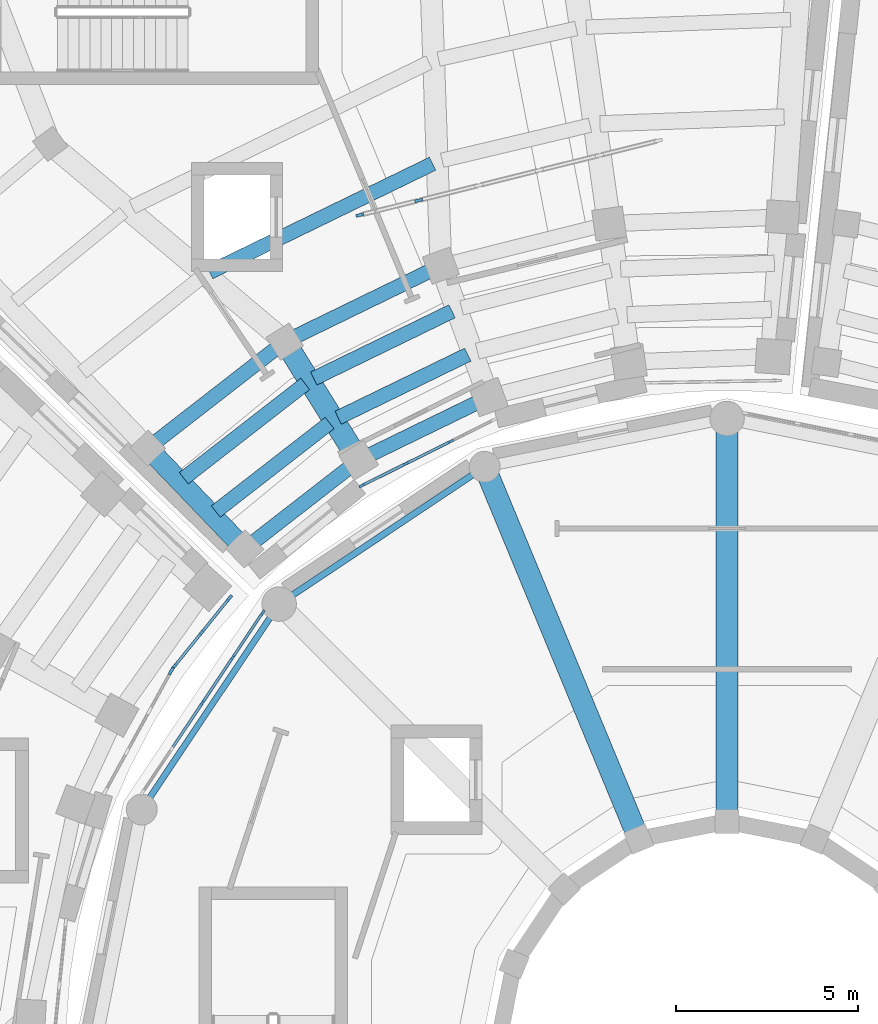
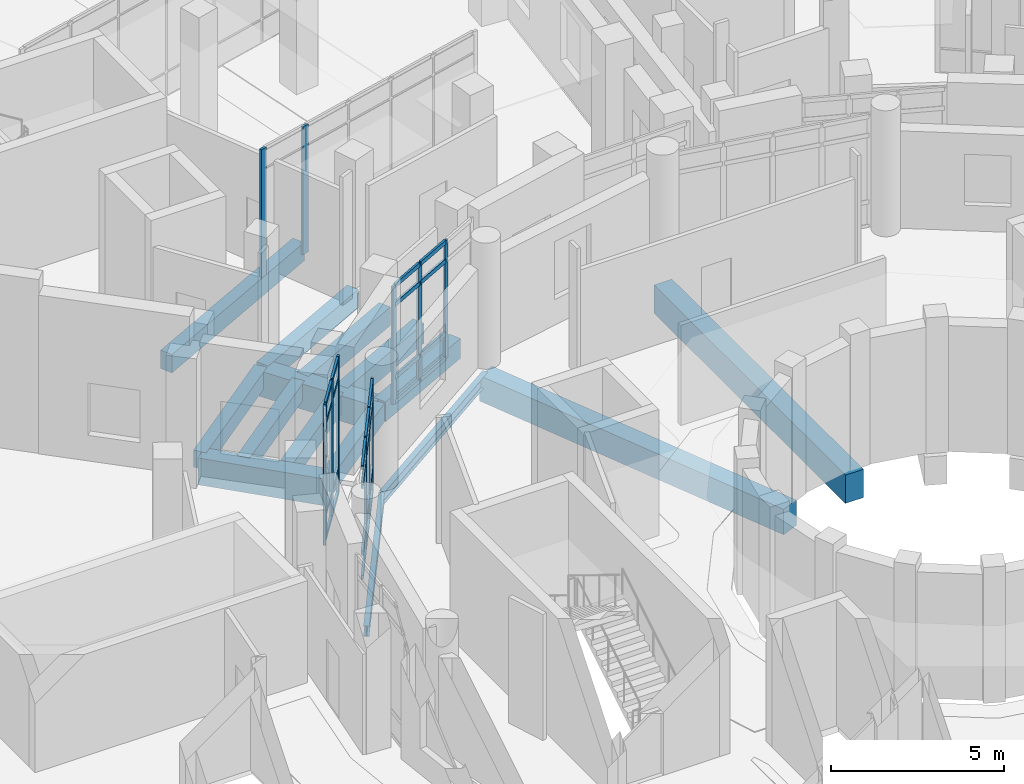
# One storey, part 19 of 75: 40 members, 15 beams, 5 elements without a shape of their own.
"""IFC4 building model written with IfcOpenShell, lengths in metres."""

from ifc_helpers import new_model, si_unit, direction, frame, origin, origin_2d, place, context, subcontext, project, spatial, rectangle, i_section, extrude, material, material_profile, profile_set, type_object, element, aggregate, save


model = new_model("IFC4")

# Units and contexts
model_context = context("Model", 3, precision=1e-05, world=origin(), true_north=direction((0.0, 1.0)))
body_context = subcontext(model_context, "Body", "Model", "MODEL_VIEW")
ifc_project = project(units=[si_unit("LENGTHUNIT", "METRE"), si_unit("AREAUNIT", "SQUARE_METRE"), si_unit("VOLUMEUNIT", "CUBIC_METRE"), si_unit("PLANEANGLEUNIT", "RADIAN"), si_unit("MASSUNIT", "GRAM", prefix="KILO")], contexts=[model_context])

# Site, building, storey
site_placement = place(None, origin())
site = spatial("IfcSite", under=ifc_project, at=site_placement, CompositionType="ELEMENT")
building_placement = place(site_placement, origin())
building = spatial("IfcBuilding", under=site, at=building_placement, Name="Soyqirgoq Riverine Aquarium", CompositionType="ELEMENT")
storey_placement = place(building_placement, frame((0.0, 0.0, 10.199951171875)))
storey = spatial("IfcBuildingStorey", under=building, at=storey_placement, Name="L03", CompositionType="ELEMENT", Elevation=10.199951171875)

# Beams
ifc_material_1 = material(Name="Concrete C40/50", Category="concrete")
ifc_material_profile_1 = material_profile(ifc_material_1, rectangle(XDim=0.39990234375, YDim=0.60009765625, at=origin_2d()), Name="RC 400x600")
ifc_profile_set_1 = profile_set([ifc_material_profile_1], Name="Concrete C40/50")
beam_type_1 = type_object("IfcBeamType", Name="Beam_RC_400x600", PredefinedType="JOIST", material=ifc_profile_set_1)
beam_1_placement = place(storey_placement, frame((44.38037109375, 75.404296875, -0.599853515625), z_axis=(-0.789625269343, -0.613589385514, 0.0), x_axis=(0.613589385514, -0.789625269343, 0.0)))
element("IfcBeam", 1, at=beam_1_placement, inside=storey, type_object=beam_type_1, Name="V4 L03 Secondary Floor Joist 0637", PredefinedType="JOIST", context=body_context, shape_type="SweptSolid", body=[
    extrude(rectangle(XDim=0.39990234375, YDim=0.60009765625, at=origin_2d()), origin(), (0.0, 0.0, 1.0), 4.235595703125),
])
beam_2_placement = place(storey_placement, frame((43.780029296875, 76.5380859375, -0.599853515625), z_axis=(-0.789613455766, -0.613604588048, 0.0), x_axis=(0.613604588048, -0.789613455766, 0.0)))
element("IfcBeam", 2, at=beam_2_placement, inside=storey, type_object=beam_type_1, Name="V4 L03 Wedge Chord Beam 0641", PredefinedType="JOIST", context=body_context, shape_type="SweptSolid", body=[
    extrude(rectangle(XDim=0.39990234375, YDim=0.60009765625, at=origin_2d()), origin(), (0.0, 0.0, 1.0), 4.6787109375),
])
ifc_material_2 = material(Name="Concrete C40/50", Category="concrete")
ifc_material_profile_2 = material_profile(ifc_material_2, rectangle(XDim=0.39990234375, YDim=0.64990234375, at=origin_2d()), Name="RC 400x650")
ifc_profile_set_2 = profile_set([ifc_material_profile_2], Name="Concrete C40/50")
beam_type_2 = type_object("IfcBeamType", Name="Beam_RC_400x650", PredefinedType="BEAM", material=ifc_profile_set_2)
beam_3_placement = place(storey_placement, frame((45.814453125, 73.26953125, -0.625), z_axis=(-0.789599462758, -0.613622594444, 0.0), x_axis=(0.613622594444, -0.789599462758, 0.0)))
element("IfcBeam", 3, at=beam_3_placement, inside=storey, type_object=beam_type_2, Name="V4 L03 Wedge Chord Beam 0629", PredefinedType="BEAM", context=body_context, shape_type="SweptSolid", body=[
    extrude(rectangle(XDim=0.39990234375, YDim=0.64990234375, at=origin_2d()), origin(), (0.0, 0.0, 1.0), 3.88037109375),
])
beam_4_placement = place(storey_placement, frame((48.425048828125, 77.40478515625, -0.625), z_axis=(-0.899182988599, -0.437572797388, 0.0), x_axis=(0.437572797388, -0.899182988599, 0.0)))
element("IfcBeam", 4, at=beam_4_placement, inside=storey, type_object=beam_type_2, Name="V4 L03 Secondary Floor Joist 0635", PredefinedType="BEAM", context=body_context, shape_type="SweptSolid", body=[
    extrude(rectangle(XDim=0.39990234375, YDim=0.64990234375, at=origin_2d()), origin(), (0.0, 0.0, 1.0), 4.2353515625),
])
beam_5_placement = place(storey_placement, frame((45.0517578125, 74.32568359375, -0.625), z_axis=(-0.789623525917, -0.613591629114, 0.0), x_axis=(0.613591629114, -0.789623525917, 0.0)))
element("IfcBeam", 5, at=beam_5_placement, inside=storey, type_object=beam_type_2, Name="V4 L03 Secondary Floor Joist 0636", PredefinedType="BEAM", context=body_context, shape_type="SweptSolid", body=[
    extrude(rectangle(XDim=0.39990234375, YDim=0.64990234375, at=origin_2d()), origin(), (0.0, 0.0, 1.0), 3.97216796875),
])
beam_6_placement = place(storey_placement, frame((48.0712890625, 78.637939453125, -0.625), z_axis=(-0.899186813611, -0.437564937156, 0.0), x_axis=(0.437564937156, -0.899186813611, 0.0)))
element("IfcBeam", 6, at=beam_6_placement, inside=storey, type_object=beam_type_2, Name="V4 L03 Wedge Chord Beam 0640", PredefinedType="BEAM", context=body_context, shape_type="SweptSolid", body=[
    extrude(rectangle(XDim=0.39990234375, YDim=0.64990234375, at=origin_2d()), origin(), (0.0, 0.0, 1.0), 4.678466796875),
])
beam_7_placement = place(storey_placement, frame((47.8896484375, 81.47119140625, -0.625), z_axis=(-0.899178845538, -0.437581311, 0.0), x_axis=(0.437581311, -0.899178845538, 0.0)))
element("IfcBeam", 7, at=beam_7_placement, inside=storey, type_object=beam_type_2, Name="V4 L03 Secondary Floor Joist 0646", PredefinedType="BEAM", context=body_context, shape_type="SweptSolid", body=[
    extrude(rectangle(XDim=0.39990234375, YDim=0.64990234375, at=origin_2d()), origin(), (0.0, 0.0, 1.0), 6.831298828125),
])
ifc_material_3 = material(Name="Concrete C40/50", Category="concrete")
ifc_material_profile_3 = material_profile(ifc_material_3, rectangle(XDim=0.39990234375, YDim=0.699951171875, at=origin_2d()), Name="RC 400x700")
ifc_profile_set_3 = profile_set([ifc_material_profile_3], Name="Concrete C40/50")
beam_type_3 = type_object("IfcBeamType", Name="Beam_RC_400x700", PredefinedType="BEAM", material=ifc_profile_set_3)
beam_8_placement = place(storey_placement, frame((49.38818359375, 75.020263671875, -0.64990234375), z_axis=(-0.899182237982, -0.437574339852, 0.0), x_axis=(0.437574339852, -0.899182237982, 0.0)))
element("IfcBeam", 8, at=beam_8_placement, inside=storey, type_object=beam_type_3, Name="V4 L03 Wedge Chord Beam 0628", PredefinedType="BEAM", context=body_context, shape_type="SweptSolid", body=[
    extrude(rectangle(XDim=0.39990234375, YDim=0.699951171875, at=origin_2d()), origin(), (0.0, 0.0, 1.0), 3.88037109375),
])
beam_9_placement = place(storey_placement, frame((48.859619140625, 76.2109375, -0.64990234375), z_axis=(-0.899182148298, -0.437574524146, 0.0), x_axis=(0.437574524146, -0.899182148298, 0.0)))
element("IfcBeam", 9, at=beam_9_placement, inside=storey, type_object=beam_type_3, Name="V4 L03 Secondary Floor Joist 0634", PredefinedType="BEAM", context=body_context, shape_type="SweptSolid", body=[
    extrude(rectangle(XDim=0.39990234375, YDim=0.699951171875, at=origin_2d()), origin(), (0.0, 0.0, 1.0), 3.971923828125),
])

# Curtain wall, members
ifc_material_4 = material(Name="Anodised aluminium thermally broken triple low-E glazing", Category="aluminium")
curtain_wall_type_1 = type_object("IfcCurtainWallType", Name="CW_DrumGallery_Unitised", PredefinedType="NOTDEFINED", material=ifc_material_4)
curtain_wall_1_placement = place(storey_placement, origin())
curtain_wall_1 = element("IfcCurtainWall", 10, at=curtain_wall_1_placement, inside=storey, type_object=curtain_wall_type_1, Name="V1 L03 Curtain Wall 025", PredefinedType="NOTDEFINED")
ifc_material_5 = material(Name="Anodised aluminium 6063-T6", Category="aluminium")
ifc_material_profile_4 = material_profile(ifc_material_5, rectangle(XDim=0.06494140625, YDim=0.179931640625, at=origin_2d()), Name="ALU-M 65x180")
ifc_profile_set_4 = profile_set([ifc_material_profile_4], Name="Anodised aluminium 6063-T6")
member_type_1 = type_object("IfcMemberType", Name="CWMullion_65x180", PredefinedType="MULLION", material=ifc_profile_set_4)
member_1_placement = place(storey_placement, frame((43.200439453125, 69.091064453125, 0.0), z_axis=(0.0, 0.0, 1.0), x_axis=(0.831468565541, -0.555571799605, 0.0)))
member_1 = element("IfcMember", 11, at=member_1_placement, type_object=member_type_1, Name="CW-01 mullion 1", PredefinedType="MULLION", context=body_context, shape_type="SweptSolid", body=[
    extrude(rectangle(XDim=0.06494140625, YDim=0.179931640625, at=origin_2d()), origin(), (0.0, 0.0, 1.0), 3.949951171875),
])
member_2_placement = place(storey_placement, frame((42.384033203125, 67.869384765625, 0.0), z_axis=(0.0, 0.0, 1.0), x_axis=(0.831468565541, -0.555571799605, 0.0)))
member_2 = element("IfcMember", 12, at=member_2_placement, type_object=member_type_1, Name="CW-01 mullion 2", PredefinedType="MULLION", context=body_context, shape_type="SweptSolid", body=[
    extrude(rectangle(XDim=0.06494140625, YDim=0.179931640625, at=origin_2d()), origin(), (0.0, 0.0, 1.0), 3.949951171875),
])
member_3_placement = place(storey_placement, frame((41.549560546875, 66.620361328125, 0.0), z_axis=(0.0, 0.0, 1.0), x_axis=(0.831468565541, -0.555571799605, 0.0)))
member_3 = element("IfcMember", 13, at=member_3_placement, type_object=member_type_1, Name="CW-01 mullion 3", PredefinedType="MULLION", context=body_context, shape_type="SweptSolid", body=[
    extrude(rectangle(XDim=0.06494140625, YDim=0.179931640625, at=origin_2d()), origin(), (0.0, 0.0, 1.0), 3.949951171875),
])

ifc_material_6 = material(Name="Anodised aluminium thermally broken double low-E glazing", Category="aluminium")
curtain_wall_type_2 = type_object("IfcCurtainWallType", Name="CW_Wedge_NorthBay", PredefinedType="NOTDEFINED", material=ifc_material_6)
curtain_wall_2_placement = place(storey_placement, origin())
curtain_wall_2 = element("IfcCurtainWall", 14, at=curtain_wall_2_placement, inside=storey, type_object=curtain_wall_type_2, Name="V4 L03 Curtain Wall 091", PredefinedType="NOTDEFINED")
member_4_placement = place(storey_placement, frame((48.38232421875, 73.819091796875, 0.0), z_axis=(0.0, 0.0, 1.0), x_axis=(0.446194983142, -0.894935772567, 0.0)))
member_4 = element("IfcMember", 15, at=member_4_placement, type_object=member_type_1, Name="CW-03 mullion 2", PredefinedType="MULLION", context=body_context, shape_type="SweptSolid", body=[
    extrude(rectangle(XDim=0.06494140625, YDim=0.179931640625, at=origin_2d()), origin(), (0.0, 0.0, 1.0), 4.170166015625),
])
member_5_placement = place(storey_placement, frame((47.152099609375, 73.20556640625, 0.0), z_axis=(0.0, 0.0, 1.0), x_axis=(0.446194983142, -0.894935772567, 0.0)))
member_5 = element("IfcMember", 16, at=member_5_placement, type_object=member_type_1, Name="CW-03 mullion 3", PredefinedType="MULLION", context=body_context, shape_type="SweptSolid", body=[
    extrude(rectangle(XDim=0.06494140625, YDim=0.179931640625, at=origin_2d()), origin(), (0.0, 0.0, 1.0), 4.170166015625),
])
member_6_placement = place(storey_placement, frame((45.95068359375, 72.606689453125, 0.0), z_axis=(0.0, 0.0, 1.0), x_axis=(0.446194983142, -0.894935772567, 0.0)))
member_6 = element("IfcMember", 17, at=member_6_placement, type_object=member_type_1, Name="CW-03 mullion 4", PredefinedType="MULLION", context=body_context, shape_type="SweptSolid", body=[
    extrude(rectangle(XDim=0.06494140625, YDim=0.179931640625, at=origin_2d()), origin(), (0.0, 0.0, 1.0), 4.170166015625),
])

# Curtain wall, member
curtain_wall_3_placement = place(storey_placement, origin())
curtain_wall_3 = element("IfcCurtainWall", 18, at=curtain_wall_3_placement, inside=storey, type_object=curtain_wall_type_2, Name="V3 L03 Curtain Wall 085", PredefinedType="NOTDEFINED")
ifc_material_7 = material(Name="Anodised aluminium 6063-T6", Category="aluminium")
ifc_material_profile_5 = material_profile(ifc_material_7, rectangle(XDim=0.080078125, YDim=0.219970703125, at=origin_2d()), Name="ALU-M 80x220")
ifc_profile_set_5 = profile_set([ifc_material_profile_5], Name="Anodised aluminium 6063-T6")
member_type_2 = type_object("IfcMemberType", Name="CWMullion_80x220", PredefinedType="MULLION", material=ifc_profile_set_5)
member_7_placement = place(storey_placement, frame((40.68798828125, 67.49267578125, 0.0), z_axis=(0.0, 0.0, 1.0), x_axis=(0.876811350866, -0.480834540141, 0.0)))
member_7 = element("IfcMember", 19, at=member_7_placement, type_object=member_type_2, Name="CW-03 mullion 1", PredefinedType="MULLION", context=body_context, shape_type="SweptSolid", body=[
    extrude(rectangle(XDim=0.080078125, YDim=0.219970703125, at=origin_2d()), origin(), (0.0, 0.0, 1.0), 4.81005859375),
])
aggregate(curtain_wall_3, [member_7])

# Curtain wall, members
curtain_wall_4_placement = place(storey_placement, origin())
curtain_wall_4 = element("IfcCurtainWall", 20, at=curtain_wall_4_placement, inside=storey, type_object=curtain_wall_type_2, Name="V3 L03 Curtain Wall 087", PredefinedType="NOTDEFINED")
member_8_placement = place(storey_placement, frame((42.28515625, 69.493896484375, 0.0), z_axis=(0.0, 0.0, 1.0), x_axis=(0.778089639027, -0.62815325649, 0.0)))
member_8 = element("IfcMember", 21, at=member_8_placement, type_object=member_type_2, Name="CW-03 mullion 1", PredefinedType="MULLION", context=body_context, shape_type="SweptSolid", body=[
    extrude(rectangle(XDim=0.080078125, YDim=0.219970703125, at=origin_2d()), origin(), (0.0, 0.0, 1.0), 4.81005859375),
])
member_9_placement = place(storey_placement, frame((41.531005859375, 68.5595703125, 0.0), z_axis=(0.0, 0.0, 1.0), x_axis=(0.778089639027, -0.62815325649, 0.0)))
member_9 = element("IfcMember", 22, at=member_9_placement, type_object=member_type_2, Name="CW-03 mullion 2", PredefinedType="MULLION", context=body_context, shape_type="SweptSolid", body=[
    extrude(rectangle(XDim=0.080078125, YDim=0.219970703125, at=origin_2d()), origin(), (0.0, 0.0, 1.0), 4.81005859375),
])
member_10_placement = place(storey_placement, frame((40.776611328125, 67.625244140625, 0.0), z_axis=(0.0, 0.0, 1.0), x_axis=(0.778089639027, -0.62815325649, 0.0)))
member_10 = element("IfcMember", 23, at=member_10_placement, type_object=member_type_2, Name="CW-03 mullion 3", PredefinedType="MULLION", context=body_context, shape_type="SweptSolid", body=[
    extrude(rectangle(XDim=0.080078125, YDim=0.219970703125, at=origin_2d()), origin(), (0.0, 0.0, 1.0), 4.81005859375),
])

ifc_material_8 = material(Name="Cast polymethyl methacrylate PMMA Habitat Viewing Glazing", Category="glass")
curtain_wall_type_3 = type_object("IfcCurtainWallType", Name="CW_Interior_TankVitrine", PredefinedType="NOTDEFINED", material=ifc_material_8)
curtain_wall_5_placement = place(storey_placement, origin())
curtain_wall_5 = element("IfcCurtainWall", 24, at=curtain_wall_5_placement, inside=storey, type_object=curtain_wall_type_3, Name="V4 L03 Curtain Wall 155", PredefinedType="NOTDEFINED")
member_11_placement = place(storey_placement, frame((47.5068359375, 80.459228515625, 0.0), z_axis=(0.0, 0.0, 1.0), x_axis=(0.241922023881, -0.970295694292, 0.0)))
member_11 = element("IfcMember", 25, at=member_11_placement, type_object=member_type_2, Name="CW-07 mullion 5", PredefinedType="MULLION", context=body_context, shape_type="SweptSolid", body=[
    extrude(rectangle(XDim=0.080078125, YDim=0.219970703125, at=origin_2d()), origin(), (0.0, 0.0, 1.0), 4.52001953125),
])
member_12_placement = place(storey_placement, frame((45.885986328125, 80.05517578125, 0.0), z_axis=(0.0, 0.0, 1.0), x_axis=(0.241922023881, -0.970295694292, 0.0)))
member_12 = element("IfcMember", 26, at=member_12_placement, type_object=member_type_2, Name="CW-07 mullion 6", PredefinedType="MULLION", context=body_context, shape_type="SweptSolid", body=[
    extrude(rectangle(XDim=0.080078125, YDim=0.219970703125, at=origin_2d()), origin(), (0.0, 0.0, 1.0), 4.52001953125),
])
aggregate(curtain_wall_5, [member_11, member_12])

# Member
ifc_material_9 = material(Name="Anodised aluminium 6063-T6", Category="aluminium")
ifc_material_profile_6 = material_profile(ifc_material_9, rectangle(XDim=0.074951171875, YDim=0.14990234375, at=origin_2d()), Name="ALU-T 75x150")
ifc_profile_set_6 = profile_set([ifc_material_profile_6], Name="Anodised aluminium 6063-T6")
member_type_3 = type_object("IfcMemberType", Name="CWTransom_75x150", PredefinedType="USERDEFINED", material=ifc_profile_set_6)
member_13_placement = place(storey_placement, frame((43.182373046875, 69.064208984375, 0.03759765625), z_axis=(-0.555502146192, -0.831515102434, 0.0), x_axis=(0.831515102434, -0.555502146192, 0.0)))
member_13 = element("IfcMember", 27, at=member_13_placement, type_object=member_type_3, Name="CW-01 transom 1.1", ObjectType="TRANSOM", PredefinedType="USERDEFINED", context=body_context, shape_type="SweptSolid", body=[
    extrude(rectangle(XDim=0.074951171875, YDim=0.14990234375, at=origin_2d()), origin(), (0.0, 0.0, 1.0), 1.404541015625),
])

member_14_placement = place(storey_placement, frame((43.182373046875, 69.064208984375, 0.900146484375), z_axis=(-0.555502146192, -0.831515102434, 0.0), x_axis=(0.831515102434, -0.555502146192, 0.0)))
member_14 = element("IfcMember", 28, at=member_14_placement, type_object=member_type_3, Name="CW-01 transom 1.2", ObjectType="TRANSOM", PredefinedType="USERDEFINED", context=body_context, shape_type="SweptSolid", body=[
    extrude(rectangle(XDim=0.074951171875, YDim=0.14990234375, at=origin_2d()), origin(), (0.0, 0.0, 1.0), 1.404541015625),
])

member_15_placement = place(storey_placement, frame((43.182373046875, 69.064208984375, 3.25), z_axis=(-0.555502146192, -0.831515102434, 0.0), x_axis=(0.831515102434, -0.555502146192, 0.0)))
member_15 = element("IfcMember", 29, at=member_15_placement, type_object=member_type_3, Name="CW-01 transom 1.3", ObjectType="TRANSOM", PredefinedType="USERDEFINED", context=body_context, shape_type="SweptSolid", body=[
    extrude(rectangle(XDim=0.074951171875, YDim=0.14990234375, at=origin_2d()), origin(), (0.0, 0.0, 1.0), 1.404541015625),
])

member_16_placement = place(storey_placement, frame((43.182373046875, 69.064208984375, 3.91259765625), z_axis=(-0.555502146192, -0.831515102434, 0.0), x_axis=(0.831515102434, -0.555502146192, 0.0)))
member_16 = element("IfcMember", 30, at=member_16_placement, type_object=member_type_3, Name="CW-01 transom 1.4", ObjectType="TRANSOM", PredefinedType="USERDEFINED", context=body_context, shape_type="SweptSolid", body=[
    extrude(rectangle(XDim=0.074951171875, YDim=0.14990234375, at=origin_2d()), origin(), (0.0, 0.0, 1.0), 1.404541015625),
])

member_17_placement = place(storey_placement, frame((42.365966796875, 67.84228515625, 0.03759765625), z_axis=(-0.55556245102, -0.831474812016, 0.0), x_axis=(0.831474812016, -0.55556245102, 0.0)))
member_17 = element("IfcMember", 31, at=member_17_placement, type_object=member_type_3, Name="CW-01 transom 2.1", ObjectType="TRANSOM", PredefinedType="USERDEFINED", context=body_context, shape_type="SweptSolid", body=[
    extrude(rectangle(XDim=0.074951171875, YDim=0.14990234375, at=origin_2d()), origin(), (0.0, 0.0, 1.0), 1.43701171875),
])

member_18_placement = place(storey_placement, frame((42.365966796875, 67.84228515625, 0.900146484375), z_axis=(-0.55556245102, -0.831474812016, 0.0), x_axis=(0.831474812016, -0.55556245102, 0.0)))
member_18 = element("IfcMember", 32, at=member_18_placement, type_object=member_type_3, Name="CW-01 transom 2.2", ObjectType="TRANSOM", PredefinedType="USERDEFINED", context=body_context, shape_type="SweptSolid", body=[
    extrude(rectangle(XDim=0.074951171875, YDim=0.14990234375, at=origin_2d()), origin(), (0.0, 0.0, 1.0), 1.43701171875),
])

member_19_placement = place(storey_placement, frame((42.365966796875, 67.84228515625, 3.25), z_axis=(-0.55556245102, -0.831474812016, 0.0), x_axis=(0.831474812016, -0.55556245102, 0.0)))
member_19 = element("IfcMember", 33, at=member_19_placement, type_object=member_type_3, Name="CW-01 transom 2.3", ObjectType="TRANSOM", PredefinedType="USERDEFINED", context=body_context, shape_type="SweptSolid", body=[
    extrude(rectangle(XDim=0.074951171875, YDim=0.14990234375, at=origin_2d()), origin(), (0.0, 0.0, 1.0), 1.43701171875),
])

member_20_placement = place(storey_placement, frame((42.365966796875, 67.84228515625, 3.91259765625), z_axis=(-0.55556245102, -0.831474812016, 0.0), x_axis=(0.831474812016, -0.55556245102, 0.0)))
member_20 = element("IfcMember", 34, at=member_20_placement, type_object=member_type_3, Name="CW-01 transom 2.4", ObjectType="TRANSOM", PredefinedType="USERDEFINED", context=body_context, shape_type="SweptSolid", body=[
    extrude(rectangle(XDim=0.074951171875, YDim=0.14990234375, at=origin_2d()), origin(), (0.0, 0.0, 1.0), 1.43701171875),
])

member_21_placement = place(storey_placement, frame((41.531494140625, 66.593505859375, 0.03759765625), z_axis=(-0.55556245102, -0.831474812016, 0.0), x_axis=(0.831474812016, -0.55556245102, 0.0)))
member_21 = element("IfcMember", 35, at=member_21_placement, type_object=member_type_3, Name="CW-01 transom 3.1", ObjectType="TRANSOM", PredefinedType="USERDEFINED", context=body_context, shape_type="SweptSolid", body=[
    extrude(rectangle(XDim=0.074951171875, YDim=0.14990234375, at=origin_2d()), origin(), (0.0, 0.0, 1.0), 1.43701171875),
])

member_22_placement = place(storey_placement, frame((41.531494140625, 66.593505859375, 0.900146484375), z_axis=(-0.55556245102, -0.831474812016, 0.0), x_axis=(0.831474812016, -0.55556245102, 0.0)))
member_22 = element("IfcMember", 36, at=member_22_placement, type_object=member_type_3, Name="CW-01 transom 3.2", ObjectType="TRANSOM", PredefinedType="USERDEFINED", context=body_context, shape_type="SweptSolid", body=[
    extrude(rectangle(XDim=0.074951171875, YDim=0.14990234375, at=origin_2d()), origin(), (0.0, 0.0, 1.0), 1.43701171875),
])

member_23_placement = place(storey_placement, frame((41.531494140625, 66.593505859375, 3.25), z_axis=(-0.55556245102, -0.831474812016, 0.0), x_axis=(0.831474812016, -0.55556245102, 0.0)))
member_23 = element("IfcMember", 37, at=member_23_placement, type_object=member_type_3, Name="CW-01 transom 3.3", ObjectType="TRANSOM", PredefinedType="USERDEFINED", context=body_context, shape_type="SweptSolid", body=[
    extrude(rectangle(XDim=0.074951171875, YDim=0.14990234375, at=origin_2d()), origin(), (0.0, 0.0, 1.0), 1.43701171875),
])

member_24_placement = place(storey_placement, frame((41.531494140625, 66.593505859375, 3.91259765625), z_axis=(-0.55556245102, -0.831474812016, 0.0), x_axis=(0.831474812016, -0.55556245102, 0.0)))
member_24 = element("IfcMember", 38, at=member_24_placement, type_object=member_type_3, Name="CW-01 transom 3.4", ObjectType="TRANSOM", PredefinedType="USERDEFINED", context=body_context, shape_type="SweptSolid", body=[
    extrude(rectangle(XDim=0.074951171875, YDim=0.14990234375, at=origin_2d()), origin(), (0.0, 0.0, 1.0), 1.43701171875),
])

aggregate(curtain_wall_1, [member_1, member_2, member_3, member_13, member_14, member_15, member_16, member_17, member_18, member_19, member_20, member_21, member_22, member_23, member_24])

member_25_placement = place(storey_placement, frame((42.26025390625, 69.462646484375, 0.03759765625), z_axis=(-0.628195132858, -0.778055830294, 0.0), x_axis=(0.778055830294, -0.628195132858, 0.0)))
member_25 = element("IfcMember", 39, at=member_25_placement, type_object=member_type_3, Name="CW-03 transom 1.1", ObjectType="TRANSOM", PredefinedType="USERDEFINED", context=body_context, shape_type="SweptSolid", body=[
    extrude(rectangle(XDim=0.074951171875, YDim=0.14990234375, at=origin_2d()), origin(), (0.0, 0.0, 1.0), 1.120849609375),
])

member_26_placement = place(storey_placement, frame((42.26025390625, 69.462646484375, 0.900146484375), z_axis=(-0.628195132858, -0.778055830294, 0.0), x_axis=(0.778055830294, -0.628195132858, 0.0)))
member_26 = element("IfcMember", 40, at=member_26_placement, type_object=member_type_3, Name="CW-03 transom 1.2", ObjectType="TRANSOM", PredefinedType="USERDEFINED", context=body_context, shape_type="SweptSolid", body=[
    extrude(rectangle(XDim=0.074951171875, YDim=0.14990234375, at=origin_2d()), origin(), (0.0, 0.0, 1.0), 1.120849609375),
])

member_27_placement = place(storey_placement, frame((42.26025390625, 69.462646484375, 4.110107421875), z_axis=(-0.628195132858, -0.778055830294, 0.0), x_axis=(0.778055830294, -0.628195132858, 0.0)))
member_27 = element("IfcMember", 41, at=member_27_placement, type_object=member_type_3, Name="CW-03 transom 1.3", ObjectType="TRANSOM", PredefinedType="USERDEFINED", context=body_context, shape_type="SweptSolid", body=[
    extrude(rectangle(XDim=0.074951171875, YDim=0.14990234375, at=origin_2d()), origin(), (0.0, 0.0, 1.0), 1.120849609375),
])

member_28_placement = place(storey_placement, frame((42.26025390625, 69.462646484375, 4.7724609375), z_axis=(-0.628195132858, -0.778055830294, 0.0), x_axis=(0.778055830294, -0.628195132858, 0.0)))
member_28 = element("IfcMember", 42, at=member_28_placement, type_object=member_type_3, Name="CW-03 transom 1.4", ObjectType="TRANSOM", PredefinedType="USERDEFINED", context=body_context, shape_type="SweptSolid", body=[
    extrude(rectangle(XDim=0.074951171875, YDim=0.14990234375, at=origin_2d()), origin(), (0.0, 0.0, 1.0), 1.120849609375),
])

member_29_placement = place(storey_placement, frame((41.505859375, 68.5283203125, 0.03759765625), z_axis=(-0.628195132858, -0.778055830294, 0.0), x_axis=(0.778055830294, -0.628195132858, 0.0)))
member_29 = element("IfcMember", 43, at=member_29_placement, type_object=member_type_3, Name="CW-03 transom 2.1", ObjectType="TRANSOM", PredefinedType="USERDEFINED", context=body_context, shape_type="SweptSolid", body=[
    extrude(rectangle(XDim=0.074951171875, YDim=0.14990234375, at=origin_2d()), origin(), (0.0, 0.0, 1.0), 1.120849609375),
])

member_30_placement = place(storey_placement, frame((41.505859375, 68.5283203125, 0.900146484375), z_axis=(-0.628195132858, -0.778055830294, 0.0), x_axis=(0.778055830294, -0.628195132858, 0.0)))
member_30 = element("IfcMember", 44, at=member_30_placement, type_object=member_type_3, Name="CW-03 transom 2.2", ObjectType="TRANSOM", PredefinedType="USERDEFINED", context=body_context, shape_type="SweptSolid", body=[
    extrude(rectangle(XDim=0.074951171875, YDim=0.14990234375, at=origin_2d()), origin(), (0.0, 0.0, 1.0), 1.120849609375),
])

member_31_placement = place(storey_placement, frame((41.505859375, 68.5283203125, 4.110107421875), z_axis=(-0.628195132858, -0.778055830294, 0.0), x_axis=(0.778055830294, -0.628195132858, 0.0)))
member_31 = element("IfcMember", 45, at=member_31_placement, type_object=member_type_3, Name="CW-03 transom 2.3", ObjectType="TRANSOM", PredefinedType="USERDEFINED", context=body_context, shape_type="SweptSolid", body=[
    extrude(rectangle(XDim=0.074951171875, YDim=0.14990234375, at=origin_2d()), origin(), (0.0, 0.0, 1.0), 1.120849609375),
])

member_32_placement = place(storey_placement, frame((41.505859375, 68.5283203125, 4.7724609375), z_axis=(-0.628195132858, -0.778055830294, 0.0), x_axis=(0.778055830294, -0.628195132858, 0.0)))
member_32 = element("IfcMember", 46, at=member_32_placement, type_object=member_type_3, Name="CW-03 transom 2.4", ObjectType="TRANSOM", PredefinedType="USERDEFINED", context=body_context, shape_type="SweptSolid", body=[
    extrude(rectangle(XDim=0.074951171875, YDim=0.14990234375, at=origin_2d()), origin(), (0.0, 0.0, 1.0), 1.120849609375),
])

aggregate(curtain_wall_4, [member_8, member_9, member_10, member_25, member_26, member_27, member_28, member_29, member_30, member_31, member_32])

member_33_placement = place(storey_placement, frame((48.353271484375, 73.804443359375, 0.03759765625), z_axis=(-0.894985741225, -0.446094746668, 0.0), x_axis=(0.446094746668, -0.894985741225, 0.0)))
member_33 = element("IfcMember", 47, at=member_33_placement, type_object=member_type_3, Name="CW-03 transom 2.1", ObjectType="TRANSOM", PredefinedType="USERDEFINED", context=body_context, shape_type="SweptSolid", body=[
    extrude(rectangle(XDim=0.074951171875, YDim=0.14990234375, at=origin_2d()), origin(), (0.0, 0.0, 1.0), 1.3095703125),
])

member_34_placement = place(storey_placement, frame((48.353271484375, 73.804443359375, 0.900146484375), z_axis=(-0.894985741225, -0.446094746668, 0.0), x_axis=(0.446094746668, -0.894985741225, 0.0)))
member_34 = element("IfcMember", 48, at=member_34_placement, type_object=member_type_3, Name="CW-03 transom 2.2", ObjectType="TRANSOM", PredefinedType="USERDEFINED", context=body_context, shape_type="SweptSolid", body=[
    extrude(rectangle(XDim=0.074951171875, YDim=0.14990234375, at=origin_2d()), origin(), (0.0, 0.0, 1.0), 1.3095703125),
])

member_35_placement = place(storey_placement, frame((48.353271484375, 73.804443359375, 3.469970703125), z_axis=(-0.894985741225, -0.446094746668, 0.0), x_axis=(0.446094746668, -0.894985741225, 0.0)))
member_35 = element("IfcMember", 49, at=member_35_placement, type_object=member_type_3, Name="CW-03 transom 2.3", ObjectType="TRANSOM", PredefinedType="USERDEFINED", context=body_context, shape_type="SweptSolid", body=[
    extrude(rectangle(XDim=0.074951171875, YDim=0.14990234375, at=origin_2d()), origin(), (0.0, 0.0, 1.0), 1.3095703125),
])

member_36_placement = place(storey_placement, frame((48.353271484375, 73.804443359375, 4.132568359375), z_axis=(-0.894985741225, -0.446094746668, 0.0), x_axis=(0.446094746668, -0.894985741225, 0.0)))
member_36 = element("IfcMember", 50, at=member_36_placement, type_object=member_type_3, Name="CW-03 transom 2.4", ObjectType="TRANSOM", PredefinedType="USERDEFINED", context=body_context, shape_type="SweptSolid", body=[
    extrude(rectangle(XDim=0.074951171875, YDim=0.14990234375, at=origin_2d()), origin(), (0.0, 0.0, 1.0), 1.3095703125),
])

member_37_placement = place(storey_placement, frame((47.123046875, 73.191162109375, 0.03759765625), z_axis=(-0.894885440054, -0.446295921087, 0.0), x_axis=(0.446295921087, -0.894885440054, 0.0)))
member_37 = element("IfcMember", 51, at=member_37_placement, type_object=member_type_3, Name="CW-03 transom 3.1", ObjectType="TRANSOM", PredefinedType="USERDEFINED", context=body_context, shape_type="SweptSolid", body=[
    extrude(rectangle(XDim=0.074951171875, YDim=0.14990234375, at=origin_2d()), origin(), (0.0, 0.0, 1.0), 1.27734375),
])

member_38_placement = place(storey_placement, frame((47.123046875, 73.191162109375, 0.900146484375), z_axis=(-0.894885440054, -0.446295921087, 0.0), x_axis=(0.446295921087, -0.894885440054, 0.0)))
member_38 = element("IfcMember", 52, at=member_38_placement, type_object=member_type_3, Name="CW-03 transom 3.2", ObjectType="TRANSOM", PredefinedType="USERDEFINED", context=body_context, shape_type="SweptSolid", body=[
    extrude(rectangle(XDim=0.074951171875, YDim=0.14990234375, at=origin_2d()), origin(), (0.0, 0.0, 1.0), 1.27734375),
])

member_39_placement = place(storey_placement, frame((47.123046875, 73.191162109375, 3.469970703125), z_axis=(-0.894885440054, -0.446295921087, 0.0), x_axis=(0.446295921087, -0.894885440054, 0.0)))
member_39 = element("IfcMember", 53, at=member_39_placement, type_object=member_type_3, Name="CW-03 transom 3.3", ObjectType="TRANSOM", PredefinedType="USERDEFINED", context=body_context, shape_type="SweptSolid", body=[
    extrude(rectangle(XDim=0.074951171875, YDim=0.14990234375, at=origin_2d()), origin(), (0.0, 0.0, 1.0), 1.27734375),
])

member_40_placement = place(storey_placement, frame((47.123046875, 73.191162109375, 4.132568359375), z_axis=(-0.894885440054, -0.446295921087, 0.0), x_axis=(0.446295921087, -0.894885440054, 0.0)))
member_40 = element("IfcMember", 54, at=member_40_placement, type_object=member_type_3, Name="CW-03 transom 3.4", ObjectType="TRANSOM", PredefinedType="USERDEFINED", context=body_context, shape_type="SweptSolid", body=[
    extrude(rectangle(XDim=0.074951171875, YDim=0.14990234375, at=origin_2d()), origin(), (0.0, 0.0, 1.0), 1.27734375),
])

aggregate(curtain_wall_2, [member_4, member_5, member_6, member_33, member_34, member_35, member_36, member_37, member_38, member_39, member_40])

# Beams
ifc_material_10 = material(Name="Concrete C40/50", Category="concrete")
ifc_material_profile_7 = material_profile(ifc_material_10, rectangle(XDim=0.550048828125, YDim=0.949951171875, at=origin_2d()), Name="RC 550x950")
ifc_profile_set_7 = profile_set([ifc_material_profile_7], Name="Concrete C40/50")
beam_type_4 = type_object("IfcBeamType", Name="Girder_RC_550x950", PredefinedType="BEAM", material=ifc_profile_set_7)
beam_10_placement = place(storey_placement, frame((42.67626953125, 70.893798828125, -0.77490234375), z_axis=(-0.692107537642, 0.721794400324, 0.0), x_axis=(-0.721794400324, -0.692107537642, 0.0)))
element("IfcBeam", 55, at=beam_10_placement, inside=storey, type_object=beam_type_4, Name="V4 L03 Wedge Radial Girder 0622", PredefinedType="BEAM", context=body_context, shape_type="SweptSolid", body=[
    extrude(rectangle(XDim=0.550048828125, YDim=0.949951171875, at=origin_2d()), origin(), (0.0, 0.0, 1.0), 3.75),
])
ifc_material_11 = material(Name="Concrete C40/50", Category="concrete")
ifc_material_profile_8 = material_profile(ifc_material_11, rectangle(XDim=0.60009765625, YDim=1.0, at=origin_2d()), Name="RC 600x1000")
ifc_profile_set_8 = profile_set([ifc_material_profile_8], Name="Concrete C40/50")
beam_type_5 = type_object("IfcBeamType", Name="Girder_RC_600x1000", PredefinedType="BEAM", material=ifc_profile_set_8)
beam_11_placement = place(storey_placement, frame((56.0, 63.360107421875, -0.849853515625), z_axis=(0.0, 1.0, 0.0), x_axis=(-1.0, 0.0, 0.0)))
element("IfcBeam", 56, at=beam_11_placement, inside=storey, type_object=beam_type_5, Name="V1 L03 Gallery Radial Beam 0068", PredefinedType="BEAM", context=body_context, shape_type="SweptSolid", body=[
    extrude(rectangle(XDim=0.60009765625, YDim=1.0, at=origin_2d()), origin(), (0.0, 0.0, 1.0), 11.079833984375),
])
ifc_material_12 = material(Name="Concrete C40/50", Category="concrete")
ifc_material_profile_9 = material_profile(ifc_material_12, rectangle(XDim=0.60009765625, YDim=0.89990234375, at=origin_2d()), Name="RC 600x900")
ifc_profile_set_9 = profile_set([ifc_material_profile_9], Name="Concrete C40/50")
beam_type_6 = type_object("IfcBeamType", Name="Girder_RC_600x900", PredefinedType="BEAM", material=ifc_profile_set_9)
beam_12_placement = place(storey_placement, frame((53.566162109375, 62.875732421875, -0.800048828125), z_axis=(-0.382683908742, 0.923879335189, 0.0), x_axis=(-0.923879335189, -0.382683908742, 0.0)))
element("IfcBeam", 57, at=beam_12_placement, inside=storey, type_object=beam_type_6, Name="V1 L03 Gallery Radial Beam 0070", PredefinedType="BEAM", context=body_context, shape_type="SweptSolid", body=[
    extrude(rectangle(XDim=0.60009765625, YDim=0.89990234375, at=origin_2d()), origin(), (0.0, 0.0, 1.0), 11.080322265625),
])
beam_13_placement = place(storey_placement, frame((45.82763671875, 73.3427734375, -0.75), z_axis=(-0.528453109017, 0.848962491262, 0.0), x_axis=(-0.848962491262, -0.528453109017, 0.0)))
element("IfcBeam", 58, at=beam_13_placement, inside=storey, type_object=beam_type_6, Name="V4 L03 Wedge Radial Girder 0618", PredefinedType="BEAM", context=body_context, shape_type="SweptSolid", body=[
    extrude(rectangle(XDim=0.60009765625, YDim=0.89990234375, at=origin_2d()), origin(), (0.0, 0.0, 1.0), 3.75),
])
ifc_material_13 = material(Name="Structural steel S355", Category="steel")
ifc_material_profile_10 = material_profile(ifc_material_13, i_section(OverallWidth=0.169921875, OverallDepth=0.360107421875, WebThickness=0.008056640625, FlangeThickness=0.0126953125, FilletRadius=0.01806640625, at=origin_2d()), Name="IPE 360")
ifc_profile_set_10 = profile_set([ifc_material_profile_10], Name="Structural steel S355")
beam_type_7 = type_object("IfcBeamType", Name="Spandrel_Steel_IPE360", PredefinedType="SPANDREL", material=ifc_profile_set_10)
beam_14_placement = place(storey_placement, frame((43.64990234375, 69.322509765625, -0.530029296875), z_axis=(-0.555557213186, -0.83147831173, 0.0), x_axis=(0.83147831173, -0.555557213186, 0.0)))
element("IfcBeam", 59, at=beam_14_placement, inside=storey, type_object=beam_type_7, Name="V1 L03 Drum Spandrel Beam 0071", PredefinedType="SPANDREL", context=body_context, shape_type="SweptSolid", body=[
    extrude(i_section(OverallWidth=0.169921875, OverallDepth=0.360107421875, WebThickness=0.008056640625, FlangeThickness=0.0126953125, FilletRadius=0.01806640625, at=origin_2d()), origin(), (0.0, 0.0, 1.0), 6.768798828125),
])
ifc_material_14 = material(Name="Structural steel S355", Category="steel")
ifc_material_profile_11 = material_profile(ifc_material_14, i_section(OverallWidth=0.179931640625, OverallDepth=0.39990234375, WebThickness=0.008544921875, FlangeThickness=0.013427734375, FilletRadius=0.02099609375, at=origin_2d()), Name="IPE 400")
ifc_profile_set_11 = profile_set([ifc_material_profile_11], Name="Structural steel S355")
beam_type_8 = type_object("IfcBeamType", Name="Spandrel_Steel_IPE400", PredefinedType="SPANDREL", material=ifc_profile_set_11)
beam_15_placement = place(storey_placement, frame((49.3056640625, 73.110595703125, -0.550048828125), z_axis=(-0.83147831173, -0.555557213186, 0.0), x_axis=(0.555557213186, -0.83147831173, 0.0)))
element("IfcBeam", 60, at=beam_15_placement, inside=storey, type_object=beam_type_8, Name="V1 L03 Drum Spandrel Beam 0069", PredefinedType="SPANDREL", context=body_context, shape_type="SweptSolid", body=[
    extrude(i_section(OverallWidth=0.179931640625, OverallDepth=0.39990234375, WebThickness=0.008544921875, FlangeThickness=0.013427734375, FilletRadius=0.02099609375, at=origin_2d()), origin(), (0.0, 0.0, 1.0), 6.768798828125),
])

save(model, "model.ifc")
